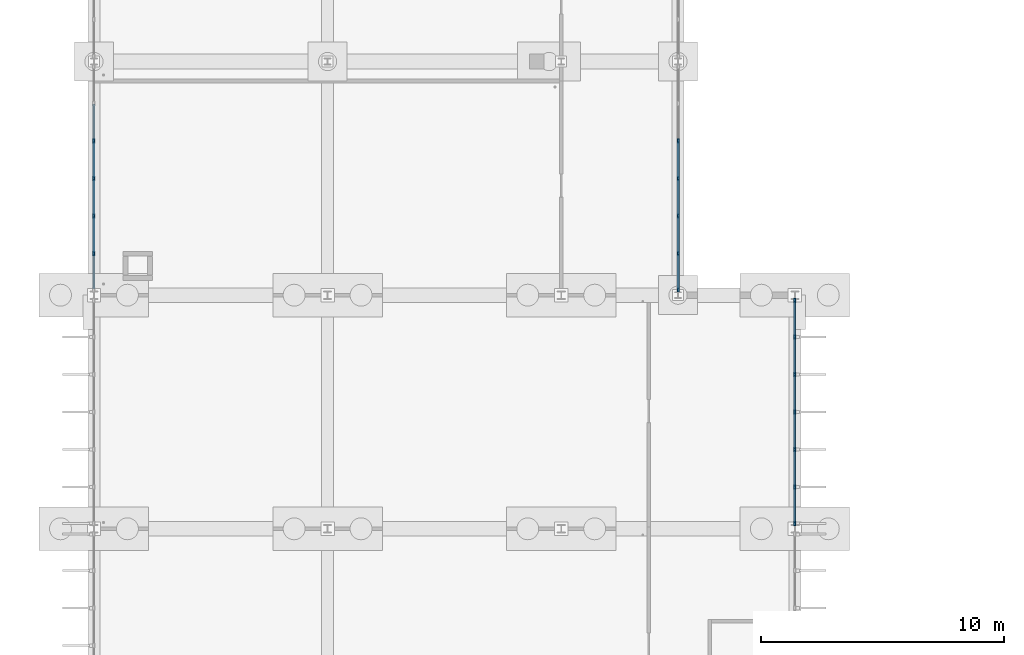
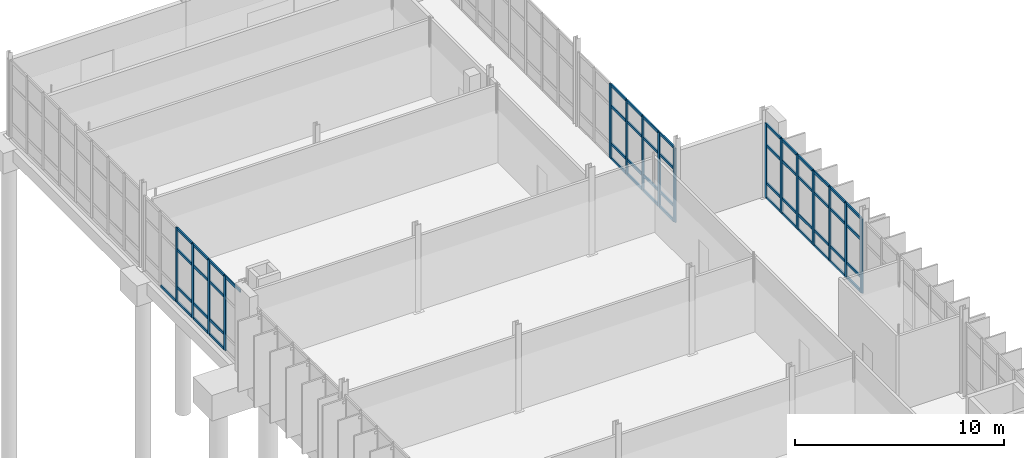
# One storey, part 33 of 111: 70 members, 3 elements without a shape of their own.
"""IFC4 building model written with IfcOpenShell, lengths in metres."""

from ifc_helpers import new_model, si_unit, direction, frame, origin, origin_2d, place, context, subcontext, project, spatial, rectangle, extrude, material, material_profile, profile_set, type_object, element, aggregate, save


model = new_model("IFC4")

# Units and contexts
model_context = context("Model", 3, precision=1e-05, world=origin(), true_north=direction((0.0, 1.0)))
body_context = subcontext(model_context, "Body", "Model", "MODEL_VIEW")
ifc_project = project(units=[si_unit("LENGTHUNIT", "METRE"), si_unit("AREAUNIT", "SQUARE_METRE"), si_unit("VOLUMEUNIT", "CUBIC_METRE"), si_unit("PLANEANGLEUNIT", "RADIAN"), si_unit("MASSUNIT", "GRAM", prefix="KILO")], contexts=[model_context])

# Site, building, storey
site_placement = place(None, origin())
site = spatial("IfcSite", under=ifc_project, at=site_placement, CompositionType="ELEMENT")
building_placement = place(site_placement, origin())
building = spatial("IfcBuilding", under=site, at=building_placement, Name="Dunescarp Central Library", CompositionType="ELEMENT")
storey_placement = place(building_placement, origin())
storey = spatial("IfcBuildingStorey", under=building, at=storey_placement, Name="L00", CompositionType="ELEMENT", Elevation=0.0)

# Curtain wall, members
ifc_material = material(Name="Marine-grade anodised aluminium 6063-T6", Category="aluminium")
curtain_wall_type = type_object("IfcCurtainWallType", Name="ARC-CW-STICK", PredefinedType="NOTDEFINED", material=ifc_material)
curtain_wall_1_placement = place(storey_placement, origin())
curtain_wall_1 = element("IfcCurtainWall", 1, at=curtain_wall_1_placement, inside=storey, type_object=curtain_wall_type, Name="L00 curtain wall CW-V4-117", PredefinedType="NOTDEFINED")
ifc_material_profile_1 = material_profile(ifc_material, rectangle(XDim=0.080078125, YDim=0.179931640625, at=origin_2d()), Name="AL 80x180")
ifc_profile_set_1 = profile_set([ifc_material_profile_1], Name="Marine-grade anodised aluminium 6063-T6")
member_type_1 = type_object("IfcMemberType", Name="ARC-CWM-180", PredefinedType="MULLION", material=ifc_profile_set_1)
member_1_placement = place(storey_placement, frame((28.800048828125, 89.385009765625, 0.0), z_axis=(0.0, 0.0, 1.0), x_axis=(1.0, 0.0, 0.0)))
member_1 = element("IfcMember", 2, at=member_1_placement, type_object=member_type_1, Name="CW-V4-117 mullion 1", PredefinedType="MULLION", context=body_context, shape_type="SweptSolid", body=[
    extrude(rectangle(XDim=0.080078125, YDim=0.179931640625, at=origin_2d()), origin(), (0.0, 0.0, 1.0), 4.35498046875),
])
member_2_placement = place(storey_placement, frame((28.800048828125, 87.88330078125, 0.0), z_axis=(0.0, 0.0, 1.0), x_axis=(1.0, 0.0, 0.0)))
member_2 = element("IfcMember", 3, at=member_2_placement, type_object=member_type_1, Name="CW-V4-117 mullion 2", PredefinedType="MULLION", context=body_context, shape_type="SweptSolid", body=[
    extrude(rectangle(XDim=0.080078125, YDim=0.179931640625, at=origin_2d()), origin(), (0.0, 0.0, 1.0), 4.35498046875),
])
member_3_placement = place(storey_placement, frame((28.800048828125, 86.341552734375, 0.0), z_axis=(0.0, 0.0, 1.0), x_axis=(1.0, 0.0, 0.0)))
member_3 = element("IfcMember", 4, at=member_3_placement, type_object=member_type_1, Name="CW-V4-117 mullion 3", PredefinedType="MULLION", context=body_context, shape_type="SweptSolid", body=[
    extrude(rectangle(XDim=0.080078125, YDim=0.179931640625, at=origin_2d()), origin(), (0.0, 0.0, 1.0), 4.35498046875),
])
member_4_placement = place(storey_placement, frame((28.800048828125, 84.800048828125, 0.0), z_axis=(0.0, 0.0, 1.0), x_axis=(1.0, 0.0, 0.0)))
member_4 = element("IfcMember", 5, at=member_4_placement, type_object=member_type_1, Name="CW-V4-117 mullion 4", PredefinedType="MULLION", context=body_context, shape_type="SweptSolid", body=[
    extrude(rectangle(XDim=0.080078125, YDim=0.179931640625, at=origin_2d()), origin(), (0.0, 0.0, 1.0), 4.35498046875),
])
member_5_placement = place(storey_placement, frame((28.800048828125, 83.25830078125, 0.0), z_axis=(0.0, 0.0, 1.0), x_axis=(1.0, 0.0, 0.0)))
member_5 = element("IfcMember", 6, at=member_5_placement, type_object=member_type_1, Name="CW-V4-117 mullion 5", PredefinedType="MULLION", context=body_context, shape_type="SweptSolid", body=[
    extrude(rectangle(XDim=0.080078125, YDim=0.179931640625, at=origin_2d()), origin(), (0.0, 0.0, 1.0), 4.35498046875),
])
member_6_placement = place(storey_placement, frame((28.800048828125, 81.716552734375, 0.0), z_axis=(0.0, 0.0, 1.0), x_axis=(1.0, 0.0, 0.0)))
member_6 = element("IfcMember", 7, at=member_6_placement, type_object=member_type_1, Name="CW-V4-117 mullion 6", PredefinedType="MULLION", context=body_context, shape_type="SweptSolid", body=[
    extrude(rectangle(XDim=0.080078125, YDim=0.179931640625, at=origin_2d()), origin(), (0.0, 0.0, 1.0), 4.35498046875),
])
member_7_placement = place(storey_placement, frame((28.800048828125, 80.215087890625, 0.0), z_axis=(0.0, 0.0, 1.0), x_axis=(1.0, 0.0, 0.0)))
member_7 = element("IfcMember", 8, at=member_7_placement, type_object=member_type_1, Name="CW-V4-117 mullion 7", PredefinedType="MULLION", context=body_context, shape_type="SweptSolid", body=[
    extrude(rectangle(XDim=0.080078125, YDim=0.179931640625, at=origin_2d()), origin(), (0.0, 0.0, 1.0), 4.35498046875),
])

curtain_wall_2_placement = place(storey_placement, origin())
curtain_wall_2 = element("IfcCurtainWall", 9, at=curtain_wall_2_placement, inside=storey, type_object=curtain_wall_type, Name="L00 curtain wall CW-V4N-138", PredefinedType="NOTDEFINED")
member_8_placement = place(storey_placement, frame((0.0, 91.316650390625, 0.0), z_axis=(0.0, 0.0, 1.0), x_axis=(-1.0, 0.0, 0.0)))
member_8 = element("IfcMember", 10, at=member_8_placement, type_object=member_type_1, Name="CW-V4N-138 mullion 2", PredefinedType="MULLION", context=body_context, shape_type="SweptSolid", body=[
    extrude(rectangle(XDim=0.080078125, YDim=0.179931640625, at=origin_2d()), origin(), (0.0, 0.0, 1.0), 4.35498046875),
])
member_9_placement = place(storey_placement, frame((0.0, 92.8583984375, 0.0), z_axis=(0.0, 0.0, 1.0), x_axis=(-1.0, 0.0, 0.0)))
member_9 = element("IfcMember", 11, at=member_9_placement, type_object=member_type_1, Name="CW-V4N-138 mullion 3", PredefinedType="MULLION", context=body_context, shape_type="SweptSolid", body=[
    extrude(rectangle(XDim=0.080078125, YDim=0.179931640625, at=origin_2d()), origin(), (0.0, 0.0, 1.0), 4.35498046875),
])
member_10_placement = place(storey_placement, frame((0.0, 94.39990234375, 0.0), z_axis=(0.0, 0.0, 1.0), x_axis=(-1.0, 0.0, 0.0)))
member_10 = element("IfcMember", 12, at=member_10_placement, type_object=member_type_1, Name="CW-V4N-138 mullion 4", PredefinedType="MULLION", context=body_context, shape_type="SweptSolid", body=[
    extrude(rectangle(XDim=0.080078125, YDim=0.179931640625, at=origin_2d()), origin(), (0.0, 0.0, 1.0), 4.35498046875),
])
member_11_placement = place(storey_placement, frame((0.0, 95.941650390625, 0.0), z_axis=(0.0, 0.0, 1.0), x_axis=(-1.0, 0.0, 0.0)))
member_11 = element("IfcMember", 13, at=member_11_placement, type_object=member_type_1, Name="CW-V4N-138 mullion 5", PredefinedType="MULLION", context=body_context, shape_type="SweptSolid", body=[
    extrude(rectangle(XDim=0.080078125, YDim=0.179931640625, at=origin_2d()), origin(), (0.0, 0.0, 1.0), 4.35498046875),
])

curtain_wall_3_placement = place(storey_placement, origin())
curtain_wall_3 = element("IfcCurtainWall", 14, at=curtain_wall_3_placement, inside=storey, type_object=curtain_wall_type, Name="L00 curtain wall CW-V4N-139", PredefinedType="NOTDEFINED")
member_12_placement = place(storey_placement, frame((24.0, 95.941650390625, 0.0), z_axis=(0.0, 0.0, 1.0), x_axis=(1.0, 0.0, 0.0)))
member_12 = element("IfcMember", 15, at=member_12_placement, type_object=member_type_1, Name="CW-V4N-139 mullion 3", PredefinedType="MULLION", context=body_context, shape_type="SweptSolid", body=[
    extrude(rectangle(XDim=0.080078125, YDim=0.179931640625, at=origin_2d()), origin(), (0.0, 0.0, 1.0), 4.35498046875),
])
member_13_placement = place(storey_placement, frame((24.0, 94.39990234375, 0.0), z_axis=(0.0, 0.0, 1.0), x_axis=(1.0, 0.0, 0.0)))
member_13 = element("IfcMember", 16, at=member_13_placement, type_object=member_type_1, Name="CW-V4N-139 mullion 4", PredefinedType="MULLION", context=body_context, shape_type="SweptSolid", body=[
    extrude(rectangle(XDim=0.080078125, YDim=0.179931640625, at=origin_2d()), origin(), (0.0, 0.0, 1.0), 4.35498046875),
])
member_14_placement = place(storey_placement, frame((24.0, 92.8583984375, 0.0), z_axis=(0.0, 0.0, 1.0), x_axis=(1.0, 0.0, 0.0)))
member_14 = element("IfcMember", 17, at=member_14_placement, type_object=member_type_1, Name="CW-V4N-139 mullion 5", PredefinedType="MULLION", context=body_context, shape_type="SweptSolid", body=[
    extrude(rectangle(XDim=0.080078125, YDim=0.179931640625, at=origin_2d()), origin(), (0.0, 0.0, 1.0), 4.35498046875),
])
member_15_placement = place(storey_placement, frame((24.0, 91.316650390625, 0.0), z_axis=(0.0, 0.0, 1.0), x_axis=(1.0, 0.0, 0.0)))
member_15 = element("IfcMember", 18, at=member_15_placement, type_object=member_type_1, Name="CW-V4N-139 mullion 6", PredefinedType="MULLION", context=body_context, shape_type="SweptSolid", body=[
    extrude(rectangle(XDim=0.080078125, YDim=0.179931640625, at=origin_2d()), origin(), (0.0, 0.0, 1.0), 4.35498046875),
])
member_16_placement = place(storey_placement, frame((24.0, 89.81494140625, 0.0), z_axis=(0.0, 0.0, 1.0), x_axis=(1.0, 0.0, 0.0)))
member_16 = element("IfcMember", 19, at=member_16_placement, type_object=member_type_1, Name="CW-V4N-139 mullion 7", PredefinedType="MULLION", context=body_context, shape_type="SweptSolid", body=[
    extrude(rectangle(XDim=0.080078125, YDim=0.179931640625, at=origin_2d()), origin(), (0.0, 0.0, 1.0), 4.35498046875),
])

# Member
ifc_material_profile_2 = material_profile(ifc_material, rectangle(XDim=0.080078125, YDim=0.14990234375, at=origin_2d()), Name="AL 80x150")
ifc_profile_set_2 = profile_set([ifc_material_profile_2], Name="Marine-grade anodised aluminium 6063-T6")
member_type_2 = type_object("IfcMemberType", Name="ARC-CWT-150", PredefinedType="USERDEFINED", material=ifc_profile_set_2)
member_17_placement = place(storey_placement, frame((28.800048828125, 89.344970703125, 0.0400390625), z_axis=(0.0, -1.0, 0.0), x_axis=(1.0, 0.0, 0.0)))
member_17 = element("IfcMember", 20, at=member_17_placement, type_object=member_type_2, Name="CW-V4-117 transom 1.1", ObjectType="TRANSOM", PredefinedType="USERDEFINED", context=body_context, shape_type="SweptSolid", body=[
    extrude(rectangle(XDim=0.080078125, YDim=0.14990234375, at=origin_2d()), origin(), (0.0, 0.0, 1.0), 1.421630859375),
])

member_18_placement = place(storey_placement, frame((28.800048828125, 89.344970703125, 0.89990234375), z_axis=(0.0, -1.0, 0.0), x_axis=(1.0, 0.0, 0.0)))
member_18 = element("IfcMember", 21, at=member_18_placement, type_object=member_type_2, Name="CW-V4-117 transom 1.2", ObjectType="TRANSOM", PredefinedType="USERDEFINED", context=body_context, shape_type="SweptSolid", body=[
    extrude(rectangle(XDim=0.080078125, YDim=0.14990234375, at=origin_2d()), origin(), (0.0, 0.0, 1.0), 1.421630859375),
])

member_19_placement = place(storey_placement, frame((28.800048828125, 89.344970703125, 3.10009765625), z_axis=(0.0, -1.0, 0.0), x_axis=(1.0, 0.0, 0.0)))
member_19 = element("IfcMember", 22, at=member_19_placement, type_object=member_type_2, Name="CW-V4-117 transom 1.3", ObjectType="TRANSOM", PredefinedType="USERDEFINED", context=body_context, shape_type="SweptSolid", body=[
    extrude(rectangle(XDim=0.080078125, YDim=0.14990234375, at=origin_2d()), origin(), (0.0, 0.0, 1.0), 1.421630859375),
])

member_20_placement = place(storey_placement, frame((28.800048828125, 89.344970703125, 4.31494140625), z_axis=(0.0, -1.0, 0.0), x_axis=(1.0, 0.0, 0.0)))
member_20 = element("IfcMember", 23, at=member_20_placement, type_object=member_type_2, Name="CW-V4-117 transom 1.4", ObjectType="TRANSOM", PredefinedType="USERDEFINED", context=body_context, shape_type="SweptSolid", body=[
    extrude(rectangle(XDim=0.080078125, YDim=0.14990234375, at=origin_2d()), origin(), (0.0, 0.0, 1.0), 1.421630859375),
])

member_21_placement = place(storey_placement, frame((28.800048828125, 87.84326171875, 0.0400390625), z_axis=(0.0, -1.0, 0.0), x_axis=(1.0, 0.0, 0.0)))
member_21 = element("IfcMember", 24, at=member_21_placement, type_object=member_type_2, Name="CW-V4-117 transom 2.1", ObjectType="TRANSOM", PredefinedType="USERDEFINED", context=body_context, shape_type="SweptSolid", body=[
    extrude(rectangle(XDim=0.080078125, YDim=0.14990234375, at=origin_2d()), origin(), (0.0, 0.0, 1.0), 1.461669921875),
])

member_22_placement = place(storey_placement, frame((28.800048828125, 87.84326171875, 0.89990234375), z_axis=(0.0, -1.0, 0.0), x_axis=(1.0, 0.0, 0.0)))
member_22 = element("IfcMember", 25, at=member_22_placement, type_object=member_type_2, Name="CW-V4-117 transom 2.2", ObjectType="TRANSOM", PredefinedType="USERDEFINED", context=body_context, shape_type="SweptSolid", body=[
    extrude(rectangle(XDim=0.080078125, YDim=0.14990234375, at=origin_2d()), origin(), (0.0, 0.0, 1.0), 1.461669921875),
])

member_23_placement = place(storey_placement, frame((28.800048828125, 87.84326171875, 3.10009765625), z_axis=(0.0, -1.0, 0.0), x_axis=(1.0, 0.0, 0.0)))
member_23 = element("IfcMember", 26, at=member_23_placement, type_object=member_type_2, Name="CW-V4-117 transom 2.3", ObjectType="TRANSOM", PredefinedType="USERDEFINED", context=body_context, shape_type="SweptSolid", body=[
    extrude(rectangle(XDim=0.080078125, YDim=0.14990234375, at=origin_2d()), origin(), (0.0, 0.0, 1.0), 1.461669921875),
])

member_24_placement = place(storey_placement, frame((28.800048828125, 87.84326171875, 4.31494140625), z_axis=(0.0, -1.0, 0.0), x_axis=(1.0, 0.0, 0.0)))
member_24 = element("IfcMember", 27, at=member_24_placement, type_object=member_type_2, Name="CW-V4-117 transom 2.4", ObjectType="TRANSOM", PredefinedType="USERDEFINED", context=body_context, shape_type="SweptSolid", body=[
    extrude(rectangle(XDim=0.080078125, YDim=0.14990234375, at=origin_2d()), origin(), (0.0, 0.0, 1.0), 1.461669921875),
])

member_25_placement = place(storey_placement, frame((28.800048828125, 86.3017578125, 0.0400390625), z_axis=(0.0, -1.0, 0.0), x_axis=(1.0, 0.0, 0.0)))
member_25 = element("IfcMember", 28, at=member_25_placement, type_object=member_type_2, Name="CW-V4-117 transom 3.1", ObjectType="TRANSOM", PredefinedType="USERDEFINED", context=body_context, shape_type="SweptSolid", body=[
    extrude(rectangle(XDim=0.080078125, YDim=0.14990234375, at=origin_2d()), origin(), (0.0, 0.0, 1.0), 1.461669921875),
])

member_26_placement = place(storey_placement, frame((28.800048828125, 86.3017578125, 0.89990234375), z_axis=(0.0, -1.0, 0.0), x_axis=(1.0, 0.0, 0.0)))
member_26 = element("IfcMember", 29, at=member_26_placement, type_object=member_type_2, Name="CW-V4-117 transom 3.2", ObjectType="TRANSOM", PredefinedType="USERDEFINED", context=body_context, shape_type="SweptSolid", body=[
    extrude(rectangle(XDim=0.080078125, YDim=0.14990234375, at=origin_2d()), origin(), (0.0, 0.0, 1.0), 1.461669921875),
])

member_27_placement = place(storey_placement, frame((28.800048828125, 86.3017578125, 3.10009765625), z_axis=(0.0, -1.0, 0.0), x_axis=(1.0, 0.0, 0.0)))
member_27 = element("IfcMember", 30, at=member_27_placement, type_object=member_type_2, Name="CW-V4-117 transom 3.3", ObjectType="TRANSOM", PredefinedType="USERDEFINED", context=body_context, shape_type="SweptSolid", body=[
    extrude(rectangle(XDim=0.080078125, YDim=0.14990234375, at=origin_2d()), origin(), (0.0, 0.0, 1.0), 1.461669921875),
])

member_28_placement = place(storey_placement, frame((28.800048828125, 86.3017578125, 4.31494140625), z_axis=(0.0, -1.0, 0.0), x_axis=(1.0, 0.0, 0.0)))
member_28 = element("IfcMember", 31, at=member_28_placement, type_object=member_type_2, Name="CW-V4-117 transom 3.4", ObjectType="TRANSOM", PredefinedType="USERDEFINED", context=body_context, shape_type="SweptSolid", body=[
    extrude(rectangle(XDim=0.080078125, YDim=0.14990234375, at=origin_2d()), origin(), (0.0, 0.0, 1.0), 1.461669921875),
])

member_29_placement = place(storey_placement, frame((28.800048828125, 84.760009765625, 0.0400390625), z_axis=(0.0, -1.0, 0.0), x_axis=(1.0, 0.0, 0.0)))
member_29 = element("IfcMember", 32, at=member_29_placement, type_object=member_type_2, Name="CW-V4-117 transom 4.1", ObjectType="TRANSOM", PredefinedType="USERDEFINED", context=body_context, shape_type="SweptSolid", body=[
    extrude(rectangle(XDim=0.080078125, YDim=0.14990234375, at=origin_2d()), origin(), (0.0, 0.0, 1.0), 1.461669921875),
])

member_30_placement = place(storey_placement, frame((28.800048828125, 84.760009765625, 0.89990234375), z_axis=(0.0, -1.0, 0.0), x_axis=(1.0, 0.0, 0.0)))
member_30 = element("IfcMember", 33, at=member_30_placement, type_object=member_type_2, Name="CW-V4-117 transom 4.2", ObjectType="TRANSOM", PredefinedType="USERDEFINED", context=body_context, shape_type="SweptSolid", body=[
    extrude(rectangle(XDim=0.080078125, YDim=0.14990234375, at=origin_2d()), origin(), (0.0, 0.0, 1.0), 1.461669921875),
])

member_31_placement = place(storey_placement, frame((28.800048828125, 84.760009765625, 3.10009765625), z_axis=(0.0, -1.0, 0.0), x_axis=(1.0, 0.0, 0.0)))
member_31 = element("IfcMember", 34, at=member_31_placement, type_object=member_type_2, Name="CW-V4-117 transom 4.3", ObjectType="TRANSOM", PredefinedType="USERDEFINED", context=body_context, shape_type="SweptSolid", body=[
    extrude(rectangle(XDim=0.080078125, YDim=0.14990234375, at=origin_2d()), origin(), (0.0, 0.0, 1.0), 1.461669921875),
])

member_32_placement = place(storey_placement, frame((28.800048828125, 84.760009765625, 4.31494140625), z_axis=(0.0, -1.0, 0.0), x_axis=(1.0, 0.0, 0.0)))
member_32 = element("IfcMember", 35, at=member_32_placement, type_object=member_type_2, Name="CW-V4-117 transom 4.4", ObjectType="TRANSOM", PredefinedType="USERDEFINED", context=body_context, shape_type="SweptSolid", body=[
    extrude(rectangle(XDim=0.080078125, YDim=0.14990234375, at=origin_2d()), origin(), (0.0, 0.0, 1.0), 1.461669921875),
])

member_33_placement = place(storey_placement, frame((28.800048828125, 83.21826171875, 0.0400390625), z_axis=(0.0, -1.0, 0.0), x_axis=(1.0, 0.0, 0.0)))
member_33 = element("IfcMember", 36, at=member_33_placement, type_object=member_type_2, Name="CW-V4-117 transom 5.1", ObjectType="TRANSOM", PredefinedType="USERDEFINED", context=body_context, shape_type="SweptSolid", body=[
    extrude(rectangle(XDim=0.080078125, YDim=0.14990234375, at=origin_2d()), origin(), (0.0, 0.0, 1.0), 1.461669921875),
])

member_34_placement = place(storey_placement, frame((28.800048828125, 83.21826171875, 0.89990234375), z_axis=(0.0, -1.0, 0.0), x_axis=(1.0, 0.0, 0.0)))
member_34 = element("IfcMember", 37, at=member_34_placement, type_object=member_type_2, Name="CW-V4-117 transom 5.2", ObjectType="TRANSOM", PredefinedType="USERDEFINED", context=body_context, shape_type="SweptSolid", body=[
    extrude(rectangle(XDim=0.080078125, YDim=0.14990234375, at=origin_2d()), origin(), (0.0, 0.0, 1.0), 1.461669921875),
])

member_35_placement = place(storey_placement, frame((28.800048828125, 83.21826171875, 3.10009765625), z_axis=(0.0, -1.0, 0.0), x_axis=(1.0, 0.0, 0.0)))
member_35 = element("IfcMember", 38, at=member_35_placement, type_object=member_type_2, Name="CW-V4-117 transom 5.3", ObjectType="TRANSOM", PredefinedType="USERDEFINED", context=body_context, shape_type="SweptSolid", body=[
    extrude(rectangle(XDim=0.080078125, YDim=0.14990234375, at=origin_2d()), origin(), (0.0, 0.0, 1.0), 1.461669921875),
])

member_36_placement = place(storey_placement, frame((28.800048828125, 83.21826171875, 4.31494140625), z_axis=(0.0, -1.0, 0.0), x_axis=(1.0, 0.0, 0.0)))
member_36 = element("IfcMember", 39, at=member_36_placement, type_object=member_type_2, Name="CW-V4-117 transom 5.4", ObjectType="TRANSOM", PredefinedType="USERDEFINED", context=body_context, shape_type="SweptSolid", body=[
    extrude(rectangle(XDim=0.080078125, YDim=0.14990234375, at=origin_2d()), origin(), (0.0, 0.0, 1.0), 1.461669921875),
])

member_37_placement = place(storey_placement, frame((28.800048828125, 81.6767578125, 0.0400390625), z_axis=(0.0, -1.0, 0.0), x_axis=(1.0, 0.0, 0.0)))
member_37 = element("IfcMember", 40, at=member_37_placement, type_object=member_type_2, Name="CW-V4-117 transom 6.1", ObjectType="TRANSOM", PredefinedType="USERDEFINED", context=body_context, shape_type="SweptSolid", body=[
    extrude(rectangle(XDim=0.080078125, YDim=0.14990234375, at=origin_2d()), origin(), (0.0, 0.0, 1.0), 1.421875),
])

member_38_placement = place(storey_placement, frame((28.800048828125, 81.6767578125, 0.89990234375), z_axis=(0.0, -1.0, 0.0), x_axis=(1.0, 0.0, 0.0)))
member_38 = element("IfcMember", 41, at=member_38_placement, type_object=member_type_2, Name="CW-V4-117 transom 6.2", ObjectType="TRANSOM", PredefinedType="USERDEFINED", context=body_context, shape_type="SweptSolid", body=[
    extrude(rectangle(XDim=0.080078125, YDim=0.14990234375, at=origin_2d()), origin(), (0.0, 0.0, 1.0), 1.421875),
])

member_39_placement = place(storey_placement, frame((28.800048828125, 81.6767578125, 3.10009765625), z_axis=(0.0, -1.0, 0.0), x_axis=(1.0, 0.0, 0.0)))
member_39 = element("IfcMember", 42, at=member_39_placement, type_object=member_type_2, Name="CW-V4-117 transom 6.3", ObjectType="TRANSOM", PredefinedType="USERDEFINED", context=body_context, shape_type="SweptSolid", body=[
    extrude(rectangle(XDim=0.080078125, YDim=0.14990234375, at=origin_2d()), origin(), (0.0, 0.0, 1.0), 1.421875),
])

member_40_placement = place(storey_placement, frame((28.800048828125, 81.6767578125, 4.31494140625), z_axis=(0.0, -1.0, 0.0), x_axis=(1.0, 0.0, 0.0)))
member_40 = element("IfcMember", 43, at=member_40_placement, type_object=member_type_2, Name="CW-V4-117 transom 6.4", ObjectType="TRANSOM", PredefinedType="USERDEFINED", context=body_context, shape_type="SweptSolid", body=[
    extrude(rectangle(XDim=0.080078125, YDim=0.14990234375, at=origin_2d()), origin(), (0.0, 0.0, 1.0), 1.421875),
])

aggregate(curtain_wall_1, [member_1, member_2, member_3, member_4, member_5, member_6, member_7, member_17, member_18, member_19, member_20, member_21, member_22, member_23, member_24, member_25, member_26, member_27, member_28, member_29, member_30, member_31, member_32, member_33, member_34, member_35, member_36, member_37, member_38, member_39, member_40])

member_41_placement = place(storey_placement, frame((0.0, 89.85498046875, 4.31494140625), z_axis=(0.0, 1.0, 0.0), x_axis=(-1.0, 0.0, 0.0)))
member_41 = element("IfcMember", 44, at=member_41_placement, type_object=member_type_2, Name="CW-V4N-138 transom 1.4", ObjectType="TRANSOM", PredefinedType="USERDEFINED", context=body_context, shape_type="SweptSolid", body=[
    extrude(rectangle(XDim=0.080078125, YDim=0.14990234375, at=origin_2d()), origin(), (0.0, 0.0, 1.0), 1.421630859375),
])

member_42_placement = place(storey_placement, frame((0.0, 91.356689453125, 0.0400390625), z_axis=(0.0, 1.0, 0.0), x_axis=(-1.0, 0.0, 0.0)))
member_42 = element("IfcMember", 45, at=member_42_placement, type_object=member_type_2, Name="CW-V4N-138 transom 2.1", ObjectType="TRANSOM", PredefinedType="USERDEFINED", context=body_context, shape_type="SweptSolid", body=[
    extrude(rectangle(XDim=0.080078125, YDim=0.14990234375, at=origin_2d()), origin(), (0.0, 0.0, 1.0), 1.461669921875),
])

member_43_placement = place(storey_placement, frame((0.0, 91.356689453125, 0.89990234375), z_axis=(0.0, 1.0, 0.0), x_axis=(-1.0, 0.0, 0.0)))
member_43 = element("IfcMember", 46, at=member_43_placement, type_object=member_type_2, Name="CW-V4N-138 transom 2.2", ObjectType="TRANSOM", PredefinedType="USERDEFINED", context=body_context, shape_type="SweptSolid", body=[
    extrude(rectangle(XDim=0.080078125, YDim=0.14990234375, at=origin_2d()), origin(), (0.0, 0.0, 1.0), 1.461669921875),
])

member_44_placement = place(storey_placement, frame((0.0, 91.356689453125, 3.10009765625), z_axis=(0.0, 1.0, 0.0), x_axis=(-1.0, 0.0, 0.0)))
member_44 = element("IfcMember", 47, at=member_44_placement, type_object=member_type_2, Name="CW-V4N-138 transom 2.3", ObjectType="TRANSOM", PredefinedType="USERDEFINED", context=body_context, shape_type="SweptSolid", body=[
    extrude(rectangle(XDim=0.080078125, YDim=0.14990234375, at=origin_2d()), origin(), (0.0, 0.0, 1.0), 1.461669921875),
])

member_45_placement = place(storey_placement, frame((0.0, 91.356689453125, 4.31494140625), z_axis=(0.0, 1.0, 0.0), x_axis=(-1.0, 0.0, 0.0)))
member_45 = element("IfcMember", 48, at=member_45_placement, type_object=member_type_2, Name="CW-V4N-138 transom 2.4", ObjectType="TRANSOM", PredefinedType="USERDEFINED", context=body_context, shape_type="SweptSolid", body=[
    extrude(rectangle(XDim=0.080078125, YDim=0.14990234375, at=origin_2d()), origin(), (0.0, 0.0, 1.0), 1.461669921875),
])

member_46_placement = place(storey_placement, frame((0.0, 92.8984375, 0.0400390625), z_axis=(0.0, 1.0, 0.0), x_axis=(-1.0, 0.0, 0.0)))
member_46 = element("IfcMember", 49, at=member_46_placement, type_object=member_type_2, Name="CW-V4N-138 transom 3.1", ObjectType="TRANSOM", PredefinedType="USERDEFINED", context=body_context, shape_type="SweptSolid", body=[
    extrude(rectangle(XDim=0.080078125, YDim=0.14990234375, at=origin_2d()), origin(), (0.0, 0.0, 1.0), 1.461669921875),
])

member_47_placement = place(storey_placement, frame((0.0, 92.8984375, 0.89990234375), z_axis=(0.0, 1.0, 0.0), x_axis=(-1.0, 0.0, 0.0)))
member_47 = element("IfcMember", 50, at=member_47_placement, type_object=member_type_2, Name="CW-V4N-138 transom 3.2", ObjectType="TRANSOM", PredefinedType="USERDEFINED", context=body_context, shape_type="SweptSolid", body=[
    extrude(rectangle(XDim=0.080078125, YDim=0.14990234375, at=origin_2d()), origin(), (0.0, 0.0, 1.0), 1.461669921875),
])

member_48_placement = place(storey_placement, frame((0.0, 92.8984375, 3.10009765625), z_axis=(0.0, 1.0, 0.0), x_axis=(-1.0, 0.0, 0.0)))
member_48 = element("IfcMember", 51, at=member_48_placement, type_object=member_type_2, Name="CW-V4N-138 transom 3.3", ObjectType="TRANSOM", PredefinedType="USERDEFINED", context=body_context, shape_type="SweptSolid", body=[
    extrude(rectangle(XDim=0.080078125, YDim=0.14990234375, at=origin_2d()), origin(), (0.0, 0.0, 1.0), 1.461669921875),
])

member_49_placement = place(storey_placement, frame((0.0, 92.8984375, 4.31494140625), z_axis=(0.0, 1.0, 0.0), x_axis=(-1.0, 0.0, 0.0)))
member_49 = element("IfcMember", 52, at=member_49_placement, type_object=member_type_2, Name="CW-V4N-138 transom 3.4", ObjectType="TRANSOM", PredefinedType="USERDEFINED", context=body_context, shape_type="SweptSolid", body=[
    extrude(rectangle(XDim=0.080078125, YDim=0.14990234375, at=origin_2d()), origin(), (0.0, 0.0, 1.0), 1.461669921875),
])

member_50_placement = place(storey_placement, frame((0.0, 94.43994140625, 0.0400390625), z_axis=(0.0, 1.0, 0.0), x_axis=(-1.0, 0.0, 0.0)))
member_50 = element("IfcMember", 53, at=member_50_placement, type_object=member_type_2, Name="CW-V4N-138 transom 4.1", ObjectType="TRANSOM", PredefinedType="USERDEFINED", context=body_context, shape_type="SweptSolid", body=[
    extrude(rectangle(XDim=0.080078125, YDim=0.14990234375, at=origin_2d()), origin(), (0.0, 0.0, 1.0), 1.461669921875),
])

member_51_placement = place(storey_placement, frame((0.0, 94.43994140625, 0.89990234375), z_axis=(0.0, 1.0, 0.0), x_axis=(-1.0, 0.0, 0.0)))
member_51 = element("IfcMember", 54, at=member_51_placement, type_object=member_type_2, Name="CW-V4N-138 transom 4.2", ObjectType="TRANSOM", PredefinedType="USERDEFINED", context=body_context, shape_type="SweptSolid", body=[
    extrude(rectangle(XDim=0.080078125, YDim=0.14990234375, at=origin_2d()), origin(), (0.0, 0.0, 1.0), 1.461669921875),
])

member_52_placement = place(storey_placement, frame((0.0, 94.43994140625, 3.10009765625), z_axis=(0.0, 1.0, 0.0), x_axis=(-1.0, 0.0, 0.0)))
member_52 = element("IfcMember", 55, at=member_52_placement, type_object=member_type_2, Name="CW-V4N-138 transom 4.3", ObjectType="TRANSOM", PredefinedType="USERDEFINED", context=body_context, shape_type="SweptSolid", body=[
    extrude(rectangle(XDim=0.080078125, YDim=0.14990234375, at=origin_2d()), origin(), (0.0, 0.0, 1.0), 1.461669921875),
])

member_53_placement = place(storey_placement, frame((0.0, 94.43994140625, 4.31494140625), z_axis=(0.0, 1.0, 0.0), x_axis=(-1.0, 0.0, 0.0)))
member_53 = element("IfcMember", 56, at=member_53_placement, type_object=member_type_2, Name="CW-V4N-138 transom 4.4", ObjectType="TRANSOM", PredefinedType="USERDEFINED", context=body_context, shape_type="SweptSolid", body=[
    extrude(rectangle(XDim=0.080078125, YDim=0.14990234375, at=origin_2d()), origin(), (0.0, 0.0, 1.0), 1.461669921875),
])

member_54_placement = place(storey_placement, frame((0.0, 95.981689453125, 0.0400390625), z_axis=(0.0, 1.0, 0.0), x_axis=(-1.0, 0.0, 0.0)))
member_54 = element("IfcMember", 57, at=member_54_placement, type_object=member_type_2, Name="CW-V4N-138 transom 5.1", ObjectType="TRANSOM", PredefinedType="USERDEFINED", context=body_context, shape_type="SweptSolid", body=[
    extrude(rectangle(XDim=0.080078125, YDim=0.14990234375, at=origin_2d()), origin(), (0.0, 0.0, 1.0), 1.461669921875),
])

aggregate(curtain_wall_2, [member_8, member_9, member_10, member_11, member_41, member_42, member_43, member_44, member_45, member_46, member_47, member_48, member_49, member_50, member_51, member_52, member_53, member_54])

member_55_placement = place(storey_placement, frame((24.0, 95.901611328125, 0.0400390625), z_axis=(0.0, -1.0, 0.0), x_axis=(1.0, 0.0, 0.0)))
member_55 = element("IfcMember", 58, at=member_55_placement, type_object=member_type_2, Name="CW-V4N-139 transom 3.1", ObjectType="TRANSOM", PredefinedType="USERDEFINED", context=body_context, shape_type="SweptSolid", body=[
    extrude(rectangle(XDim=0.080078125, YDim=0.14990234375, at=origin_2d()), origin(), (0.0, 0.0, 1.0), 1.461669921875),
])

member_56_placement = place(storey_placement, frame((24.0, 95.901611328125, 0.89990234375), z_axis=(0.0, -1.0, 0.0), x_axis=(1.0, 0.0, 0.0)))
member_56 = element("IfcMember", 59, at=member_56_placement, type_object=member_type_2, Name="CW-V4N-139 transom 3.2", ObjectType="TRANSOM", PredefinedType="USERDEFINED", context=body_context, shape_type="SweptSolid", body=[
    extrude(rectangle(XDim=0.080078125, YDim=0.14990234375, at=origin_2d()), origin(), (0.0, 0.0, 1.0), 1.461669921875),
])

member_57_placement = place(storey_placement, frame((24.0, 95.901611328125, 3.10009765625), z_axis=(0.0, -1.0, 0.0), x_axis=(1.0, 0.0, 0.0)))
member_57 = element("IfcMember", 60, at=member_57_placement, type_object=member_type_2, Name="CW-V4N-139 transom 3.3", ObjectType="TRANSOM", PredefinedType="USERDEFINED", context=body_context, shape_type="SweptSolid", body=[
    extrude(rectangle(XDim=0.080078125, YDim=0.14990234375, at=origin_2d()), origin(), (0.0, 0.0, 1.0), 1.461669921875),
])

member_58_placement = place(storey_placement, frame((24.0, 95.901611328125, 4.31494140625), z_axis=(0.0, -1.0, 0.0), x_axis=(1.0, 0.0, 0.0)))
member_58 = element("IfcMember", 61, at=member_58_placement, type_object=member_type_2, Name="CW-V4N-139 transom 3.4", ObjectType="TRANSOM", PredefinedType="USERDEFINED", context=body_context, shape_type="SweptSolid", body=[
    extrude(rectangle(XDim=0.080078125, YDim=0.14990234375, at=origin_2d()), origin(), (0.0, 0.0, 1.0), 1.461669921875),
])

member_59_placement = place(storey_placement, frame((24.0, 94.360107421875, 0.0400390625), z_axis=(0.0, -1.0, 0.0), x_axis=(1.0, 0.0, 0.0)))
member_59 = element("IfcMember", 62, at=member_59_placement, type_object=member_type_2, Name="CW-V4N-139 transom 4.1", ObjectType="TRANSOM", PredefinedType="USERDEFINED", context=body_context, shape_type="SweptSolid", body=[
    extrude(rectangle(XDim=0.080078125, YDim=0.14990234375, at=origin_2d()), origin(), (0.0, 0.0, 1.0), 1.461669921875),
])

member_60_placement = place(storey_placement, frame((24.0, 94.360107421875, 0.89990234375), z_axis=(0.0, -1.0, 0.0), x_axis=(1.0, 0.0, 0.0)))
member_60 = element("IfcMember", 63, at=member_60_placement, type_object=member_type_2, Name="CW-V4N-139 transom 4.2", ObjectType="TRANSOM", PredefinedType="USERDEFINED", context=body_context, shape_type="SweptSolid", body=[
    extrude(rectangle(XDim=0.080078125, YDim=0.14990234375, at=origin_2d()), origin(), (0.0, 0.0, 1.0), 1.461669921875),
])

member_61_placement = place(storey_placement, frame((24.0, 94.360107421875, 3.10009765625), z_axis=(0.0, -1.0, 0.0), x_axis=(1.0, 0.0, 0.0)))
member_61 = element("IfcMember", 64, at=member_61_placement, type_object=member_type_2, Name="CW-V4N-139 transom 4.3", ObjectType="TRANSOM", PredefinedType="USERDEFINED", context=body_context, shape_type="SweptSolid", body=[
    extrude(rectangle(XDim=0.080078125, YDim=0.14990234375, at=origin_2d()), origin(), (0.0, 0.0, 1.0), 1.461669921875),
])

member_62_placement = place(storey_placement, frame((24.0, 94.360107421875, 4.31494140625), z_axis=(0.0, -1.0, 0.0), x_axis=(1.0, 0.0, 0.0)))
member_62 = element("IfcMember", 65, at=member_62_placement, type_object=member_type_2, Name="CW-V4N-139 transom 4.4", ObjectType="TRANSOM", PredefinedType="USERDEFINED", context=body_context, shape_type="SweptSolid", body=[
    extrude(rectangle(XDim=0.080078125, YDim=0.14990234375, at=origin_2d()), origin(), (0.0, 0.0, 1.0), 1.461669921875),
])

member_63_placement = place(storey_placement, frame((24.0, 92.818359375, 0.0400390625), z_axis=(0.0, -1.0, 0.0), x_axis=(1.0, 0.0, 0.0)))
member_63 = element("IfcMember", 66, at=member_63_placement, type_object=member_type_2, Name="CW-V4N-139 transom 5.1", ObjectType="TRANSOM", PredefinedType="USERDEFINED", context=body_context, shape_type="SweptSolid", body=[
    extrude(rectangle(XDim=0.080078125, YDim=0.14990234375, at=origin_2d()), origin(), (0.0, 0.0, 1.0), 1.461669921875),
])

member_64_placement = place(storey_placement, frame((24.0, 92.818359375, 0.89990234375), z_axis=(0.0, -1.0, 0.0), x_axis=(1.0, 0.0, 0.0)))
member_64 = element("IfcMember", 67, at=member_64_placement, type_object=member_type_2, Name="CW-V4N-139 transom 5.2", ObjectType="TRANSOM", PredefinedType="USERDEFINED", context=body_context, shape_type="SweptSolid", body=[
    extrude(rectangle(XDim=0.080078125, YDim=0.14990234375, at=origin_2d()), origin(), (0.0, 0.0, 1.0), 1.461669921875),
])

member_65_placement = place(storey_placement, frame((24.0, 92.818359375, 3.10009765625), z_axis=(0.0, -1.0, 0.0), x_axis=(1.0, 0.0, 0.0)))
member_65 = element("IfcMember", 68, at=member_65_placement, type_object=member_type_2, Name="CW-V4N-139 transom 5.3", ObjectType="TRANSOM", PredefinedType="USERDEFINED", context=body_context, shape_type="SweptSolid", body=[
    extrude(rectangle(XDim=0.080078125, YDim=0.14990234375, at=origin_2d()), origin(), (0.0, 0.0, 1.0), 1.461669921875),
])

member_66_placement = place(storey_placement, frame((24.0, 92.818359375, 4.31494140625), z_axis=(0.0, -1.0, 0.0), x_axis=(1.0, 0.0, 0.0)))
member_66 = element("IfcMember", 69, at=member_66_placement, type_object=member_type_2, Name="CW-V4N-139 transom 5.4", ObjectType="TRANSOM", PredefinedType="USERDEFINED", context=body_context, shape_type="SweptSolid", body=[
    extrude(rectangle(XDim=0.080078125, YDim=0.14990234375, at=origin_2d()), origin(), (0.0, 0.0, 1.0), 1.461669921875),
])

member_67_placement = place(storey_placement, frame((24.0, 91.276611328125, 0.0400390625), z_axis=(0.0, -1.0, 0.0), x_axis=(1.0, 0.0, 0.0)))
member_67 = element("IfcMember", 70, at=member_67_placement, type_object=member_type_2, Name="CW-V4N-139 transom 6.1", ObjectType="TRANSOM", PredefinedType="USERDEFINED", context=body_context, shape_type="SweptSolid", body=[
    extrude(rectangle(XDim=0.080078125, YDim=0.14990234375, at=origin_2d()), origin(), (0.0, 0.0, 1.0), 1.421630859375),
])

member_68_placement = place(storey_placement, frame((24.0, 91.276611328125, 0.89990234375), z_axis=(0.0, -1.0, 0.0), x_axis=(1.0, 0.0, 0.0)))
member_68 = element("IfcMember", 71, at=member_68_placement, type_object=member_type_2, Name="CW-V4N-139 transom 6.2", ObjectType="TRANSOM", PredefinedType="USERDEFINED", context=body_context, shape_type="SweptSolid", body=[
    extrude(rectangle(XDim=0.080078125, YDim=0.14990234375, at=origin_2d()), origin(), (0.0, 0.0, 1.0), 1.421630859375),
])

member_69_placement = place(storey_placement, frame((24.0, 91.276611328125, 3.10009765625), z_axis=(0.0, -1.0, 0.0), x_axis=(1.0, 0.0, 0.0)))
member_69 = element("IfcMember", 72, at=member_69_placement, type_object=member_type_2, Name="CW-V4N-139 transom 6.3", ObjectType="TRANSOM", PredefinedType="USERDEFINED", context=body_context, shape_type="SweptSolid", body=[
    extrude(rectangle(XDim=0.080078125, YDim=0.14990234375, at=origin_2d()), origin(), (0.0, 0.0, 1.0), 1.421630859375),
])

member_70_placement = place(storey_placement, frame((24.0, 91.276611328125, 4.31494140625), z_axis=(0.0, -1.0, 0.0), x_axis=(1.0, 0.0, 0.0)))
member_70 = element("IfcMember", 73, at=member_70_placement, type_object=member_type_2, Name="CW-V4N-139 transom 6.4", ObjectType="TRANSOM", PredefinedType="USERDEFINED", context=body_context, shape_type="SweptSolid", body=[
    extrude(rectangle(XDim=0.080078125, YDim=0.14990234375, at=origin_2d()), origin(), (0.0, 0.0, 1.0), 1.421630859375),
])

aggregate(curtain_wall_3, [member_12, member_13, member_14, member_15, member_16, member_55, member_56, member_57, member_58, member_59, member_60, member_61, member_62, member_63, member_64, member_65, member_66, member_67, member_68, member_69, member_70])

save(model, "model.ifc")
